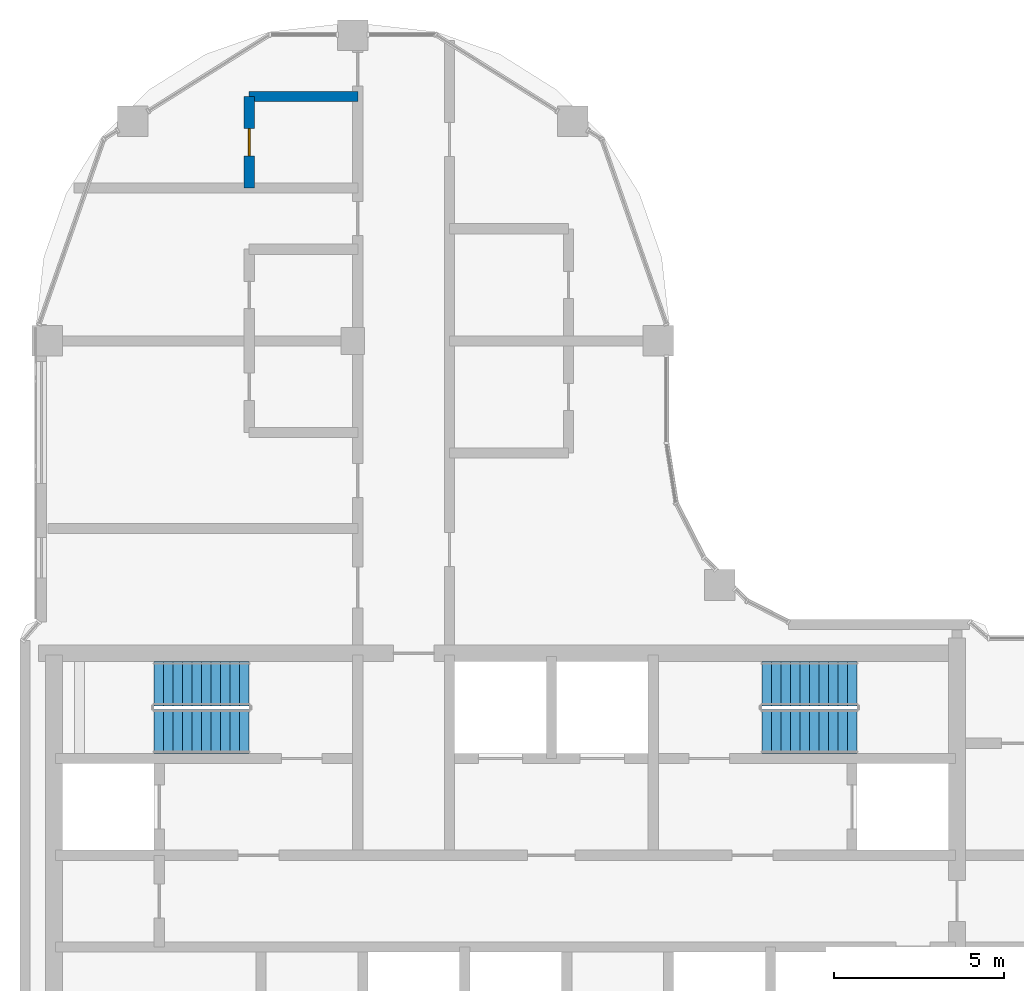
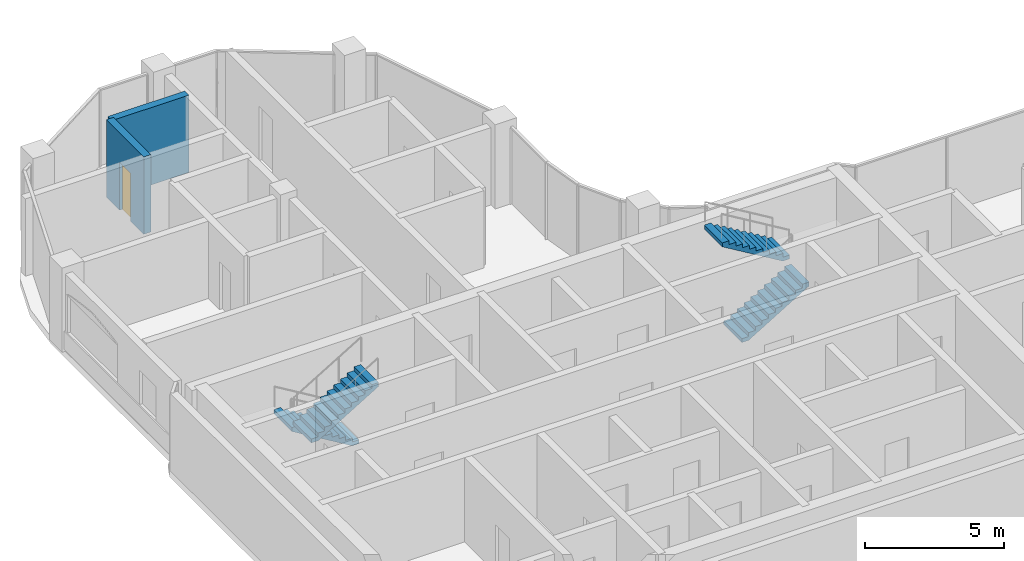
# One storey, part 13 of 17: 4 stair flights, 2 walls, 1 door, 1 opening, 2 elements without a shape of their own.
"""IFC4 building model written with IfcOpenShell, lengths in metres."""

from ifc_helpers import new_model, si_unit, direction, frame, frame_2d, origin, place, context, subcontext, project, spatial, rectangle, extrude, triangles, source, transform, mapped, material, layer, layer_set, type_object, element, fill, aggregate, save


model = new_model("IFC4")

# Units and contexts
model_context = context("Model", 3, precision=1e-05, world=origin(), true_north=direction((0.0, 1.0)))
body_context = subcontext(model_context, "Body", "Model", "MODEL_VIEW")
ifc_project = project(units=[si_unit("LENGTHUNIT", "METRE"), si_unit("AREAUNIT", "SQUARE_METRE"), si_unit("VOLUMEUNIT", "CUBIC_METRE"), si_unit("PLANEANGLEUNIT", "RADIAN"), si_unit("MASSUNIT", "GRAM", prefix="KILO")], contexts=[model_context])

# Site, building, storey
site_placement = place(None, origin())
site = spatial("IfcSite", under=ifc_project, at=site_placement, CompositionType="ELEMENT")
building_placement = place(site_placement, origin())
building = spatial("IfcBuilding", under=site, at=building_placement, Name="Ogive Portal Towers", CompositionType="ELEMENT")
storey_placement = place(building_placement, frame((0.0, 0.0, 221.699951171875)))
storey = spatial("IfcBuildingStorey", under=building, at=storey_placement, Name="L55", CompositionType="ELEMENT", Elevation=221.699951171875)

# Wall
ifc_material_1 = material(Name="Gypsum board partition on steel studs", Category="steel")
ifc_layer = layer(ifc_material_1, 0.300048828125)
ifc_layer_set = layer_set([ifc_layer], Name="WT-PART-300-EI 60")
wall_type = type_object("IfcWallType", Name="WT-PART-300-EI 60", PredefinedType="PARTITIONING", material=ifc_layer_set)
wall_1_placement = place(storey_placement, frame((37.449951171875, 55.699951171875, 0.0), z_axis=(0.0, 0.0, 1.0), x_axis=(1.0, 0.0, 0.0)))
element("IfcWall", 1, at=wall_1_placement, inside=storey, type_object=wall_type, Name="Wall L55:w022", PredefinedType="PARTITIONING", context=body_context, shape_type="SweptSolid", body=[
    extrude(rectangle(XDim=3.199951171875, YDim=0.300048828125, at=frame_2d((1.60009765625, 0.0))), origin(), (0.0, 0.0, 1.0), 3.400146484375),
])

# Wall, opening, door
wall_2_placement = place(storey_placement, frame((37.449951171875, 53.0, 0.0), z_axis=(0.0, 0.0, 1.0), x_axis=(0.0, 1.0, 0.0)))
wall_2 = element("IfcWall", 2, at=wall_2_placement, inside=storey, type_object=wall_type, Name="Wall L55:w024", PredefinedType="PARTITIONING", context=body_context, shape_type="SweptSolid", body=[
    extrude(rectangle(XDim=2.699951171875, YDim=0.300048828125, at=frame_2d((1.35009765625, 0.0))), origin(), (0.0, 0.0, 1.0), 3.400146484375),
])
opening_placement = place(wall_2_placement, frame((0.949951171875, 0.0, 0.0)))
opening = element("IfcOpeningElement", 3, at=opening_placement, cuts=wall_2, Name="Opening D24-051", PredefinedType="OPENING", context=body_context, shape_type="SweptSolid", body=[
    extrude(rectangle(XDim=0.800048828125, YDim=2.10009765625, at=frame_2d((0.39990234375, 1.050048828125))), frame((0.0, 0.16015625, 0.0), z_axis=(0.0, -1.0, 0.0), x_axis=(1.0, 0.0, 0.0)), (0.0, 0.0, 1.0), 0.320068359375),
])
ifc_material_2 = material(Name="Steel fire door", Category="steel")
door_type = type_object("IfcDoorType", Name="DT-BATH-800x2100-FD60S", OperationType="SINGLE_SWING_LEFT", PredefinedType="DOOR", material=ifc_material_2)
door_placement = place(opening_placement, origin())
door = element("IfcDoor", 4, at=door_placement, inside=storey, type_object=door_type, Name="Door D24-051", OperationType="SINGLE_SWING_LEFT", OverallHeight=2.10009765625, OverallWidth=0.800048828125, PredefinedType="DOOR", context=body_context, shape_type="SweptSolid", body=[
    extrude(rectangle(XDim=0.800048828125, YDim=2.10009765625, at=frame_2d((0.39990234375, 1.050048828125))), frame((0.0, 0.02490234375, 0.0), z_axis=(0.0, -1.0, 0.0), x_axis=(1.0, 0.0, 0.0)), (0.0, 0.0, 1.0), 0.050048828125),
])
fill(opening, door)

# Stair, stair flights
ifc_material_3 = material(Name="Concrete C40/50", Category="concrete")
stair_type = type_object("IfcStairType", Name="INT-STAIR", PredefinedType="HALF_TURN_STAIR", material=ifc_material_3)
stair_1_placement = place(storey_placement, origin())
stair_1 = element("IfcStair", 5, at=stair_1_placement, inside=storey, type_object=stair_type, Name="L55 Exit Stair ST-A1", PredefinedType="HALF_TURN_STAIR")
stair_flight_type = type_object("IfcStairFlightType", Name="INT-FLIGHT", PredefinedType="STRAIGHT", material=ifc_material_3)
shared_shape = source(origin(), body_context, "Body", "Tessellation", [
    triangles([(0.0, -0.650146484375, 0.0), (0.0, -0.376220703125, 0.0), (0.0, -0.192626953125, 0.0), (0.0, -0.081298828125, 0.0), (0.0, -0.024169921875, 0.0), (0.0, -0.003173828125, 0.0), (0.0, 0.0, 0.0), (0.0, 0.0029296875, 0.0), (0.0, 0.02392578125, 0.0), (0.0, 0.0810546875, 0.0), (0.0, 0.1923828125, 0.0), (0.0, 0.3759765625, 0.0), (0.0, 0.64990234375, 0.0), (0.0, -0.650146484375, 0.168212890625), (0.0, -0.376220703125, 0.168212890625), (0.0, -0.192626953125, 0.168212890625), (0.0, -0.081298828125, 0.168212890625), (0.0, -0.024169921875, 0.168212890625), (0.0, -0.003173828125, 0.168212890625), (0.0, 0.0, 0.168212890625), (0.0, 0.0029296875, 0.168212890625), (0.0, 0.02392578125, 0.168212890625), (0.0, 0.0810546875, 0.168212890625), (0.0, 0.1923828125, 0.168212890625), (0.0, 0.3759765625, 0.168212890625), (0.0, 0.64990234375, 0.168212890625), (0.280029296875, -0.650146484375, 0.168212890625), (0.280029296875, -0.376220703125, 0.168212890625), (0.280029296875, -0.192626953125, 0.168212890625), (0.280029296875, -0.081298828125, 0.168212890625), (0.280029296875, -0.024169921875, 0.168212890625), (0.280029296875, -0.003173828125, 0.168212890625), (0.280029296875, 0.0, 0.168212890625), (0.280029296875, 0.0029296875, 0.168212890625), (0.280029296875, 0.02392578125, 0.168212890625), (0.280029296875, 0.0810546875, 0.168212890625), (0.280029296875, 0.1923828125, 0.168212890625), (0.280029296875, 0.3759765625, 0.168212890625), (0.280029296875, 0.64990234375, 0.168212890625), (0.280029296875, -0.650146484375, 0.33642578125), (0.280029296875, -0.376220703125, 0.33642578125), (0.280029296875, -0.192626953125, 0.33642578125), (0.280029296875, -0.081298828125, 0.33642578125), (0.280029296875, -0.024169921875, 0.33642578125), (0.280029296875, -0.003173828125, 0.33642578125), (0.280029296875, 0.0, 0.33642578125), (0.280029296875, 0.0029296875, 0.33642578125), (0.280029296875, 0.02392578125, 0.33642578125), (0.280029296875, 0.0810546875, 0.33642578125), (0.280029296875, 0.1923828125, 0.33642578125), (0.280029296875, 0.3759765625, 0.33642578125), (0.280029296875, 0.64990234375, 0.33642578125), (0.56005859375, -0.650146484375, 0.33642578125), (0.56005859375, -0.376220703125, 0.33642578125), (0.56005859375, -0.192626953125, 0.33642578125), (0.56005859375, -0.081298828125, 0.33642578125), (0.56005859375, -0.024169921875, 0.33642578125), (0.56005859375, -0.003173828125, 0.33642578125), (0.56005859375, 0.0, 0.33642578125), (0.56005859375, 0.0029296875, 0.33642578125), (0.56005859375, 0.02392578125, 0.33642578125), (0.56005859375, 0.0810546875, 0.33642578125), (0.56005859375, 0.1923828125, 0.33642578125), (0.56005859375, 0.3759765625, 0.33642578125), (0.56005859375, 0.64990234375, 0.33642578125), (0.56005859375, -0.650146484375, 0.504638671875), (0.56005859375, -0.376220703125, 0.504638671875), (0.56005859375, -0.192626953125, 0.504638671875), (0.56005859375, -0.081298828125, 0.504638671875), (0.56005859375, -0.024169921875, 0.504638671875), (0.56005859375, -0.003173828125, 0.504638671875), (0.56005859375, 0.0, 0.504638671875), (0.56005859375, 0.0029296875, 0.504638671875), (0.56005859375, 0.02392578125, 0.504638671875), (0.56005859375, 0.0810546875, 0.504638671875), (0.56005859375, 0.1923828125, 0.504638671875), (0.56005859375, 0.3759765625, 0.504638671875), (0.56005859375, 0.64990234375, 0.504638671875), (0.840087890625, -0.650146484375, 0.504638671875), (0.840087890625, -0.376220703125, 0.504638671875), (0.840087890625, -0.192626953125, 0.504638671875), (0.840087890625, -0.081298828125, 0.504638671875), (0.840087890625, -0.024169921875, 0.504638671875), (0.840087890625, -0.003173828125, 0.504638671875), (0.840087890625, 0.0, 0.504638671875), (0.840087890625, 0.0029296875, 0.504638671875), (0.840087890625, 0.02392578125, 0.504638671875), (0.840087890625, 0.0810546875, 0.504638671875), (0.840087890625, 0.1923828125, 0.504638671875), (0.840087890625, 0.3759765625, 0.504638671875), (0.840087890625, 0.64990234375, 0.504638671875), (0.840087890625, -0.650146484375, 0.672607421875), (0.840087890625, -0.376220703125, 0.672607421875), (0.840087890625, -0.192626953125, 0.672607421875), (0.840087890625, -0.081298828125, 0.672607421875), (0.840087890625, -0.024169921875, 0.672607421875), (0.840087890625, -0.003173828125, 0.672607421875), (0.840087890625, 0.0, 0.672607421875), (0.840087890625, 0.0029296875, 0.672607421875), (0.840087890625, 0.02392578125, 0.672607421875), (0.840087890625, 0.0810546875, 0.672607421875), (0.840087890625, 0.1923828125, 0.672607421875), (0.840087890625, 0.3759765625, 0.672607421875), (0.840087890625, 0.64990234375, 0.672607421875), (1.1201171875, -0.650146484375, 0.672607421875), (1.1201171875, -0.376220703125, 0.672607421875), (1.1201171875, -0.192626953125, 0.672607421875), (1.1201171875, -0.081298828125, 0.672607421875), (1.1201171875, -0.024169921875, 0.672607421875), (1.1201171875, -0.003173828125, 0.672607421875), (1.1201171875, 0.0, 0.672607421875), (1.1201171875, 0.0029296875, 0.672607421875), (1.1201171875, 0.02392578125, 0.672607421875), (1.1201171875, 0.0810546875, 0.672607421875), (1.1201171875, 0.1923828125, 0.672607421875), (1.1201171875, 0.3759765625, 0.672607421875), (1.1201171875, 0.64990234375, 0.672607421875), (1.1201171875, -0.650146484375, 0.8408203125), (1.1201171875, -0.376220703125, 0.8408203125), (1.1201171875, -0.192626953125, 0.8408203125), (1.1201171875, -0.081298828125, 0.8408203125), (1.1201171875, -0.024169921875, 0.8408203125), (1.1201171875, -0.003173828125, 0.8408203125), (1.1201171875, 0.0, 0.8408203125), (1.1201171875, 0.0029296875, 0.8408203125), (1.1201171875, 0.02392578125, 0.8408203125), (1.1201171875, 0.0810546875, 0.8408203125), (1.1201171875, 0.1923828125, 0.8408203125), (1.1201171875, 0.3759765625, 0.8408203125), (1.1201171875, 0.64990234375, 0.8408203125), (1.39990234375, -0.650146484375, 0.8408203125), (1.39990234375, -0.376220703125, 0.8408203125), (1.39990234375, -0.192626953125, 0.8408203125), (1.39990234375, -0.081298828125, 0.8408203125), (1.39990234375, -0.024169921875, 0.8408203125), (1.39990234375, -0.003173828125, 0.8408203125), (1.39990234375, 0.0, 0.8408203125), (1.39990234375, 0.0029296875, 0.8408203125), (1.39990234375, 0.02392578125, 0.8408203125), (1.39990234375, 0.0810546875, 0.8408203125), (1.39990234375, 0.1923828125, 0.8408203125), (1.39990234375, 0.3759765625, 0.8408203125), (1.39990234375, 0.64990234375, 0.8408203125), (1.39990234375, -0.650146484375, 1.009033203125), (1.39990234375, -0.376220703125, 1.009033203125), (1.39990234375, -0.192626953125, 1.009033203125), (1.39990234375, -0.081298828125, 1.009033203125), (1.39990234375, -0.024169921875, 1.009033203125), (1.39990234375, -0.003173828125, 1.009033203125), (1.39990234375, 0.0, 1.009033203125), (1.39990234375, 0.0029296875, 1.009033203125), (1.39990234375, 0.02392578125, 1.009033203125), (1.39990234375, 0.0810546875, 1.009033203125), (1.39990234375, 0.1923828125, 1.009033203125), (1.39990234375, 0.3759765625, 1.009033203125), (1.39990234375, 0.64990234375, 1.009033203125), (1.679931640625, -0.650146484375, 1.009033203125), (1.679931640625, -0.376220703125, 1.009033203125), (1.679931640625, -0.192626953125, 1.009033203125), (1.679931640625, -0.081298828125, 1.009033203125), (1.679931640625, -0.024169921875, 1.009033203125), (1.679931640625, -0.003173828125, 1.009033203125), (1.679931640625, 0.0, 1.009033203125), (1.679931640625, 0.0029296875, 1.009033203125), (1.679931640625, 0.02392578125, 1.009033203125), (1.679931640625, 0.0810546875, 1.009033203125), (1.679931640625, 0.1923828125, 1.009033203125), (1.679931640625, 0.3759765625, 1.009033203125), (1.679931640625, 0.64990234375, 1.009033203125), (1.679931640625, -0.650146484375, 1.17724609375), (1.679931640625, -0.376220703125, 1.17724609375), (1.679931640625, -0.192626953125, 1.17724609375), (1.679931640625, -0.081298828125, 1.17724609375), (1.679931640625, -0.024169921875, 1.17724609375), (1.679931640625, -0.003173828125, 1.17724609375), (1.679931640625, 0.0, 1.17724609375), (1.679931640625, 0.0029296875, 1.17724609375), (1.679931640625, 0.02392578125, 1.17724609375), (1.679931640625, 0.0810546875, 1.17724609375), (1.679931640625, 0.1923828125, 1.17724609375), (1.679931640625, 0.3759765625, 1.17724609375), (1.679931640625, 0.64990234375, 1.17724609375), (1.9599609375, -0.650146484375, 1.17724609375), (1.9599609375, -0.376220703125, 1.17724609375), (1.9599609375, -0.192626953125, 1.17724609375), (1.9599609375, -0.081298828125, 1.17724609375), (1.9599609375, -0.024169921875, 1.17724609375), (1.9599609375, -0.003173828125, 1.17724609375), (1.9599609375, 0.0, 1.17724609375), (1.9599609375, 0.0029296875, 1.17724609375), (1.9599609375, 0.02392578125, 1.17724609375), (1.9599609375, 0.0810546875, 1.17724609375), (1.9599609375, 0.1923828125, 1.17724609375), (1.9599609375, 0.3759765625, 1.17724609375), (1.9599609375, 0.64990234375, 1.17724609375), (1.9599609375, -0.650146484375, 1.345458984375), (1.9599609375, -0.376220703125, 1.345458984375), (1.9599609375, -0.192626953125, 1.345458984375), (1.9599609375, -0.081298828125, 1.345458984375), (1.9599609375, -0.024169921875, 1.345458984375), (1.9599609375, -0.003173828125, 1.345458984375), (1.9599609375, 0.0, 1.345458984375), (1.9599609375, 0.0029296875, 1.345458984375), (1.9599609375, 0.02392578125, 1.345458984375), (1.9599609375, 0.0810546875, 1.345458984375), (1.9599609375, 0.1923828125, 1.345458984375), (1.9599609375, 0.3759765625, 1.345458984375), (1.9599609375, 0.64990234375, 1.345458984375), (2.239990234375, -0.650146484375, 1.345458984375), (2.239990234375, -0.376220703125, 1.345458984375), (2.239990234375, -0.192626953125, 1.345458984375), (2.239990234375, -0.081298828125, 1.345458984375), (2.239990234375, -0.024169921875, 1.345458984375), (2.239990234375, -0.003173828125, 1.345458984375), (2.239990234375, 0.0, 1.345458984375), (2.239990234375, 0.0029296875, 1.345458984375), (2.239990234375, 0.02392578125, 1.345458984375), (2.239990234375, 0.0810546875, 1.345458984375), (2.239990234375, 0.1923828125, 1.345458984375), (2.239990234375, 0.3759765625, 1.345458984375), (2.239990234375, 0.64990234375, 1.345458984375), (2.239990234375, -0.650146484375, 1.513671875), (2.239990234375, -0.376220703125, 1.513671875), (2.239990234375, -0.192626953125, 1.513671875), (2.239990234375, -0.081298828125, 1.513671875), (2.239990234375, -0.024169921875, 1.513671875), (2.239990234375, -0.003173828125, 1.513671875), (2.239990234375, 0.0, 1.513671875), (2.239990234375, 0.0029296875, 1.513671875), (2.239990234375, 0.02392578125, 1.513671875), (2.239990234375, 0.0810546875, 1.513671875), (2.239990234375, 0.1923828125, 1.513671875), (2.239990234375, 0.3759765625, 1.513671875), (2.239990234375, 0.64990234375, 1.513671875), (2.52001953125, -0.650146484375, 1.513671875), (2.52001953125, -0.376220703125, 1.513671875), (2.52001953125, -0.192626953125, 1.513671875), (2.52001953125, -0.081298828125, 1.513671875), (2.52001953125, -0.024169921875, 1.513671875), (2.52001953125, -0.003173828125, 1.513671875), (2.52001953125, 0.0, 1.513671875), (2.52001953125, 0.0029296875, 1.513671875), (2.52001953125, 0.02392578125, 1.513671875), (2.52001953125, 0.0810546875, 1.513671875), (2.52001953125, 0.1923828125, 1.513671875), (2.52001953125, 0.3759765625, 1.513671875), (2.52001953125, 0.64990234375, 1.513671875), (2.52001953125, -0.650146484375, 1.681884765625), (2.52001953125, -0.376220703125, 1.681884765625), (2.52001953125, -0.192626953125, 1.681884765625), (2.52001953125, -0.081298828125, 1.681884765625), (2.52001953125, -0.024169921875, 1.681884765625), (2.52001953125, -0.003173828125, 1.681884765625), (2.52001953125, 0.0, 1.681884765625), (2.52001953125, 0.0029296875, 1.681884765625), (2.52001953125, 0.02392578125, 1.681884765625), (2.52001953125, 0.0810546875, 1.681884765625), (2.52001953125, 0.1923828125, 1.681884765625), (2.52001953125, 0.3759765625, 1.681884765625), (2.52001953125, 0.64990234375, 1.681884765625), (2.800048828125, -0.650146484375, 1.681884765625), (2.800048828125, -0.376220703125, 1.681884765625), (2.800048828125, -0.192626953125, 1.681884765625), (2.800048828125, -0.081298828125, 1.681884765625), (2.800048828125, -0.024169921875, 1.681884765625), (2.800048828125, -0.003173828125, 1.681884765625), (2.800048828125, 0.0, 1.681884765625), (2.800048828125, 0.0029296875, 1.681884765625), (2.800048828125, 0.02392578125, 1.681884765625), (2.800048828125, 0.0810546875, 1.681884765625), (2.800048828125, 0.1923828125, 1.681884765625), (2.800048828125, 0.3759765625, 1.681884765625), (2.800048828125, 0.64990234375, 1.681884765625), (2.800048828125, -0.650146484375, 1.5068359375), (2.800048828125, -0.376220703125, 1.5068359375), (2.800048828125, -0.192626953125, 1.5068359375), (2.800048828125, -0.081298828125, 1.5068359375), (2.800048828125, -0.024169921875, 1.5068359375), (2.800048828125, -0.003173828125, 1.5068359375), (2.800048828125, 0.0, 1.5068359375), (2.800048828125, 0.0029296875, 1.5068359375), (2.800048828125, 0.02392578125, 1.5068359375), (2.800048828125, 0.0810546875, 1.5068359375), (2.800048828125, 0.1923828125, 1.5068359375), (2.800048828125, 0.3759765625, 1.5068359375), (2.800048828125, 0.64990234375, 1.5068359375), (0.291015625, -0.650146484375, 0.0), (0.291015625, -0.376220703125, 0.0), (0.291015625, -0.192626953125, 0.0), (0.291015625, -0.081298828125, 0.0), (0.291015625, -0.024169921875, 0.0), (0.291015625, -0.003173828125, 0.0), (0.291015625, 0.0, 0.0), (0.291015625, 0.0029296875, 0.0), (0.291015625, 0.02392578125, 0.0), (0.291015625, 0.0810546875, 0.0), (0.291015625, 0.1923828125, 0.0), (0.291015625, 0.3759765625, 0.0), (0.291015625, 0.64990234375, 0.0)], [[1, 14, 15], [1, 15, 2], [2, 15, 16], [2, 16, 3], [3, 16, 17], [3, 17, 4], [4, 17, 18], [4, 18, 5], [5, 18, 19], [5, 19, 6], [6, 19, 20], [6, 20, 7], [7, 20, 21], [7, 21, 8], [8, 21, 22], [8, 22, 9], [9, 22, 23], [9, 23, 10], [10, 23, 24], [10, 24, 11], [11, 24, 25], [11, 25, 12], [12, 25, 26], [12, 26, 13], [14, 27, 28], [14, 28, 15], [15, 28, 29], [15, 29, 16], [16, 29, 30], [16, 30, 17], [17, 30, 31], [17, 31, 18], [18, 31, 32], [18, 32, 19], [19, 32, 33], [19, 33, 20], [20, 33, 34], [20, 34, 21], [21, 34, 35], [21, 35, 22], [22, 35, 36], [22, 36, 23], [23, 36, 37], [23, 37, 24], [24, 37, 38], [24, 38, 25], [25, 38, 39], [25, 39, 26], [27, 40, 41], [27, 41, 28], [28, 41, 42], [28, 42, 29], [29, 42, 43], [29, 43, 30], [30, 43, 44], [30, 44, 31], [31, 44, 45], [31, 45, 32], [32, 45, 46], [32, 46, 33], [33, 46, 47], [33, 47, 34], [34, 47, 48], [34, 48, 35], [35, 48, 49], [35, 49, 36], [36, 49, 50], [36, 50, 37], [37, 50, 51], [37, 51, 38], [38, 51, 52], [38, 52, 39], [40, 53, 54], [40, 54, 41], [41, 54, 55], [41, 55, 42], [42, 55, 56], [42, 56, 43], [43, 56, 57], [43, 57, 44], [44, 57, 58], [44, 58, 45], [45, 58, 59], [45, 59, 46], [46, 59, 60], [46, 60, 47], [47, 60, 61], [47, 61, 48], [48, 61, 62], [48, 62, 49], [49, 62, 63], [49, 63, 50], [50, 63, 64], [50, 64, 51], [51, 64, 65], [51, 65, 52], [53, 66, 67], [53, 67, 54], [54, 67, 68], [54, 68, 55], [55, 68, 69], [55, 69, 56], [56, 69, 70], [56, 70, 57], [57, 70, 71], [57, 71, 58], [58, 71, 72], [58, 72, 59], [59, 72, 73], [59, 73, 60], [60, 73, 74], [60, 74, 61], [61, 74, 75], [61, 75, 62], [62, 75, 76], [62, 76, 63], [63, 76, 77], [63, 77, 64], [64, 77, 78], [64, 78, 65], [66, 79, 80], [66, 80, 67], [67, 80, 81], [67, 81, 68], [68, 81, 82], [68, 82, 69], [69, 82, 83], [69, 83, 70], [70, 83, 84], [70, 84, 71], [71, 84, 85], [71, 85, 72], [72, 85, 86], [72, 86, 73], [73, 86, 87], [73, 87, 74], [74, 87, 88], [74, 88, 75], [75, 88, 89], [75, 89, 76], [76, 89, 90], [76, 90, 77], [77, 90, 91], [77, 91, 78], [79, 92, 93], [79, 93, 80], [80, 93, 94], [80, 94, 81], [81, 94, 95], [81, 95, 82], [82, 95, 96], [82, 96, 83], [83, 96, 97], [83, 97, 84], [84, 97, 98], [84, 98, 85], [85, 98, 99], [85, 99, 86], [86, 99, 100], [86, 100, 87], [87, 100, 101], [87, 101, 88], [88, 101, 102], [88, 102, 89], [89, 102, 103], [89, 103, 90], [90, 103, 104], [90, 104, 91], [92, 105, 106], [92, 106, 93], [93, 106, 107], [93, 107, 94], [94, 107, 108], [94, 108, 95], [95, 108, 109], [95, 109, 96], [96, 109, 110], [96, 110, 97], [97, 110, 111], [97, 111, 98], [98, 111, 112], [98, 112, 99], [99, 112, 113], [99, 113, 100], [100, 113, 114], [100, 114, 101], [101, 114, 115], [101, 115, 102], [102, 115, 116], [102, 116, 103], [103, 116, 117], [103, 117, 104], [105, 118, 119], [105, 119, 106], [106, 119, 120], [106, 120, 107], [107, 120, 121], [107, 121, 108], [108, 121, 122], [108, 122, 109], [109, 122, 123], [109, 123, 110], [110, 123, 124], [110, 124, 111], [111, 124, 125], [111, 125, 112], [112, 125, 126], [112, 126, 113], [113, 126, 127], [113, 127, 114], [114, 127, 128], [114, 128, 115], [115, 128, 129], [115, 129, 116], [116, 129, 130], [116, 130, 117], [118, 131, 132], [118, 132, 119], [119, 132, 133], [119, 133, 120], [120, 133, 134], [120, 134, 121], [121, 134, 135], [121, 135, 122], [122, 135, 136], [122, 136, 123], [123, 136, 137], [123, 137, 124], [124, 137, 138], [124, 138, 125], [125, 138, 139], [125, 139, 126], [126, 139, 140], [126, 140, 127], [127, 140, 141], [127, 141, 128], [128, 141, 142], [128, 142, 129], [129, 142, 143], [129, 143, 130], [131, 144, 145], [131, 145, 132], [132, 145, 146], [132, 146, 133], [133, 146, 147], [133, 147, 134], [134, 147, 148], [134, 148, 135], [135, 148, 149], [135, 149, 136], [136, 149, 150], [136, 150, 137], [137, 150, 151], [137, 151, 138], [138, 151, 152], [138, 152, 139], [139, 152, 153], [139, 153, 140], [140, 153, 154], [140, 154, 141], [141, 154, 155], [141, 155, 142], [142, 155, 156], [142, 156, 143], [144, 157, 158], [144, 158, 145], [145, 158, 159], [145, 159, 146], [146, 159, 160], [146, 160, 147], [147, 160, 161], [147, 161, 148], [148, 161, 162], [148, 162, 149], [149, 162, 163], [149, 163, 150], [150, 163, 164], [150, 164, 151], [151, 164, 165], [151, 165, 152], [152, 165, 166], [152, 166, 153], [153, 166, 167], [153, 167, 154], [154, 167, 168], [154, 168, 155], [155, 168, 169], [155, 169, 156], [157, 170, 171], [157, 171, 158], [158, 171, 172], [158, 172, 159], [159, 172, 173], [159, 173, 160], [160, 173, 174], [160, 174, 161], [161, 174, 175], [161, 175, 162], [162, 175, 176], [162, 176, 163], [163, 176, 177], [163, 177, 164], [164, 177, 178], [164, 178, 165], [165, 178, 179], [165, 179, 166], [166, 179, 180], [166, 180, 167], [167, 180, 181], [167, 181, 168], [168, 181, 182], [168, 182, 169], [170, 183, 184], [170, 184, 171], [171, 184, 185], [171, 185, 172], [172, 185, 186], [172, 186, 173], [173, 186, 187], [173, 187, 174], [174, 187, 188], [174, 188, 175], [175, 188, 189], [175, 189, 176], [176, 189, 190], [176, 190, 177], [177, 190, 191], [177, 191, 178], [178, 191, 192], [178, 192, 179], [179, 192, 193], [179, 193, 180], [180, 193, 194], [180, 194, 181], [181, 194, 195], [181, 195, 182], [183, 196, 197], [183, 197, 184], [184, 197, 198], [184, 198, 185], [185, 198, 199], [185, 199, 186], [186, 199, 200], [186, 200, 187], [187, 200, 201], [187, 201, 188], [188, 201, 202], [188, 202, 189], [189, 202, 203], [189, 203, 190], [190, 203, 204], [190, 204, 191], [191, 204, 205], [191, 205, 192], [192, 205, 206], [192, 206, 193], [193, 206, 207], [193, 207, 194], [194, 207, 208], [194, 208, 195], [196, 209, 210], [196, 210, 197], [197, 210, 211], [197, 211, 198], [198, 211, 212], [198, 212, 199], [199, 212, 213], [199, 213, 200], [200, 213, 214], [200, 214, 201], [201, 214, 215], [201, 215, 202], [202, 215, 216], [202, 216, 203], [203, 216, 217], [203, 217, 204], [204, 217, 218], [204, 218, 205], [205, 218, 219], [205, 219, 206], [206, 219, 220], [206, 220, 207], [207, 220, 221], [207, 221, 208], [209, 222, 223], [209, 223, 210], [210, 223, 224], [210, 224, 211], [211, 224, 225], [211, 225, 212], [212, 225, 226], [212, 226, 213], [213, 226, 227], [213, 227, 214], [214, 227, 228], [214, 228, 215], [215, 228, 229], [215, 229, 216], [216, 229, 230], [216, 230, 217], [217, 230, 231], [217, 231, 218], [218, 231, 232], [218, 232, 219], [219, 232, 233], [219, 233, 220], [220, 233, 234], [220, 234, 221], [222, 235, 236], [222, 236, 223], [223, 236, 237], [223, 237, 224], [224, 237, 238], [224, 238, 225], [225, 238, 239], [225, 239, 226], [226, 239, 240], [226, 240, 227], [227, 240, 241], [227, 241, 228], [228, 241, 242], [228, 242, 229], [229, 242, 243], [229, 243, 230], [230, 243, 244], [230, 244, 231], [231, 244, 245], [231, 245, 232], [232, 245, 246], [232, 246, 233], [233, 246, 247], [233, 247, 234], [235, 248, 249], [235, 249, 236], [236, 249, 250], [236, 250, 237], [237, 250, 251], [237, 251, 238], [238, 251, 252], [238, 252, 239], [239, 252, 253], [239, 253, 240], [240, 253, 254], [240, 254, 241], [241, 254, 255], [241, 255, 242], [242, 255, 256], [242, 256, 243], [243, 256, 257], [243, 257, 244], [244, 257, 258], [244, 258, 245], [245, 258, 259], [245, 259, 246], [246, 259, 260], [246, 260, 247], [248, 261, 262], [248, 262, 249], [249, 262, 263], [249, 263, 250], [250, 263, 264], [250, 264, 251], [251, 264, 265], [251, 265, 252], [252, 265, 266], [252, 266, 253], [253, 266, 267], [253, 267, 254], [254, 267, 268], [254, 268, 255], [255, 268, 269], [255, 269, 256], [256, 269, 270], [256, 270, 257], [257, 270, 271], [257, 271, 258], [258, 271, 272], [258, 272, 259], [259, 272, 273], [259, 273, 260], [261, 274, 275], [261, 275, 262], [262, 275, 276], [262, 276, 263], [263, 276, 277], [263, 277, 264], [264, 277, 278], [264, 278, 265], [265, 278, 279], [265, 279, 266], [266, 279, 280], [266, 280, 267], [267, 280, 281], [267, 281, 268], [268, 281, 282], [268, 282, 269], [269, 282, 283], [269, 283, 270], [270, 283, 284], [270, 284, 271], [271, 284, 285], [271, 285, 272], [272, 285, 286], [272, 286, 273], [274, 287, 288], [274, 288, 275], [275, 288, 289], [275, 289, 276], [276, 289, 290], [276, 290, 277], [277, 290, 291], [277, 291, 278], [278, 291, 292], [278, 292, 279], [279, 292, 293], [279, 293, 280], [280, 293, 294], [280, 294, 281], [281, 294, 295], [281, 295, 282], [282, 295, 296], [282, 296, 283], [283, 296, 297], [283, 297, 284], [284, 297, 298], [284, 298, 285], [285, 298, 299], [285, 299, 286], [287, 1, 2], [287, 2, 288], [288, 2, 3], [288, 3, 289], [289, 3, 4], [289, 4, 290], [290, 4, 5], [290, 5, 291], [291, 5, 6], [291, 6, 292], [292, 6, 7], [292, 7, 293], [293, 7, 8], [293, 8, 294], [294, 8, 9], [294, 9, 295], [295, 9, 10], [295, 10, 296], [296, 10, 11], [296, 11, 297], [297, 11, 12], [297, 12, 298], [298, 12, 13], [298, 13, 299], [1, 287, 274], [13, 286, 299], [274, 261, 248], [286, 260, 273], [274, 248, 235], [286, 247, 260], [274, 235, 222], [286, 234, 247], [274, 222, 209], [286, 221, 234], [209, 196, 183], [221, 195, 208], [274, 209, 183], [286, 195, 221], [183, 170, 157], [195, 169, 182], [274, 183, 157], [286, 169, 195], [157, 144, 131], [169, 143, 156], [274, 157, 131], [286, 143, 169], [131, 118, 105], [143, 117, 130], [274, 131, 105], [286, 117, 143], [1, 274, 105], [13, 117, 286], [105, 92, 79], [117, 91, 104], [79, 66, 53], [91, 65, 78], [105, 79, 53], [117, 65, 91], [53, 40, 27], [65, 39, 52], [105, 53, 27], [117, 39, 65], [1, 105, 27], [13, 39, 117], [27, 14, 1], [39, 13, 26]], closed=True),
])
stair_flight_1_placement = place(storey_placement, frame((37.449951171875, 38.39990234375, 0.0), z_axis=(0.0, 0.0, 1.0), x_axis=(-1.0, 0.0, 0.0)))
stair_flight_1 = element("IfcStairFlight", 6, at=stair_flight_1_placement, type_object=stair_flight_type, Name="ST-A1 flight 1", NumberOfRisers=11, NumberOfTreads=10, PredefinedType="STRAIGHT", RiserHeight=0.168181818, TreadLength=0.28, context=body_context, shape_type="MappedRepresentation", body=[
    mapped(shared_shape, transform((0.0, 0.0, 0.0), scale=1.0)),
])
stair_flight_2_placement = place(storey_placement, frame((34.64990234375, 37.0, 1.85009765625), z_axis=(0.0, 0.0, 1.0), x_axis=(1.0, 0.0, 0.0)))
stair_flight_2 = element("IfcStairFlight", 7, at=stair_flight_2_placement, type_object=stair_flight_type, Name="ST-A1 flight 2", NumberOfRisers=11, NumberOfTreads=10, PredefinedType="STRAIGHT", RiserHeight=0.168181818, TreadLength=0.28, context=body_context, shape_type="MappedRepresentation", body=[
    mapped(shared_shape, transform((0.0, 0.0, 0.0), scale=1.0)),
])
aggregate(stair_1, [stair_flight_1, stair_flight_2])

stair_2_placement = place(storey_placement, origin())
stair_2 = element("IfcStair", 8, at=stair_2_placement, inside=storey, type_object=stair_type, Name="L55 Exit Stair ST-A2", PredefinedType="HALF_TURN_STAIR")
stair_flight_3_placement = place(storey_placement, frame((52.550048828125, 37.0, 0.0), z_axis=(0.0, 0.0, 1.0), x_axis=(1.0, 0.0, 0.0)))
stair_flight_3 = element("IfcStairFlight", 9, at=stair_flight_3_placement, type_object=stair_flight_type, Name="ST-A2 flight 1", NumberOfRisers=11, NumberOfTreads=10, PredefinedType="STRAIGHT", RiserHeight=0.168181818, TreadLength=0.28, context=body_context, shape_type="MappedRepresentation", body=[
    mapped(shared_shape, transform((0.0, 0.0, 0.0), scale=1.0)),
])
stair_flight_4_placement = place(storey_placement, frame((55.35009765625, 38.39990234375, 1.85009765625), z_axis=(0.0, 0.0, 1.0), x_axis=(-1.0, 0.0, 0.0)))
stair_flight_4 = element("IfcStairFlight", 10, at=stair_flight_4_placement, type_object=stair_flight_type, Name="ST-A2 flight 2", NumberOfRisers=11, NumberOfTreads=10, PredefinedType="STRAIGHT", RiserHeight=0.168181818, TreadLength=0.28, context=body_context, shape_type="MappedRepresentation", body=[
    mapped(shared_shape, transform((0.0, 0.0, 0.0), scale=1.0)),
])
aggregate(stair_2, [stair_flight_3, stair_flight_4])

save(model, "model.ifc")
